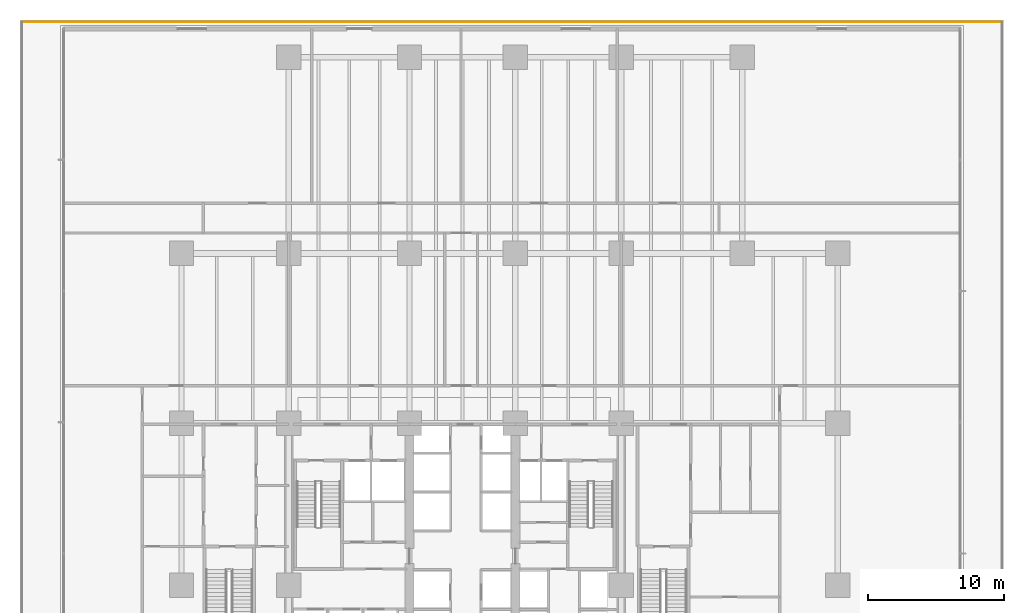
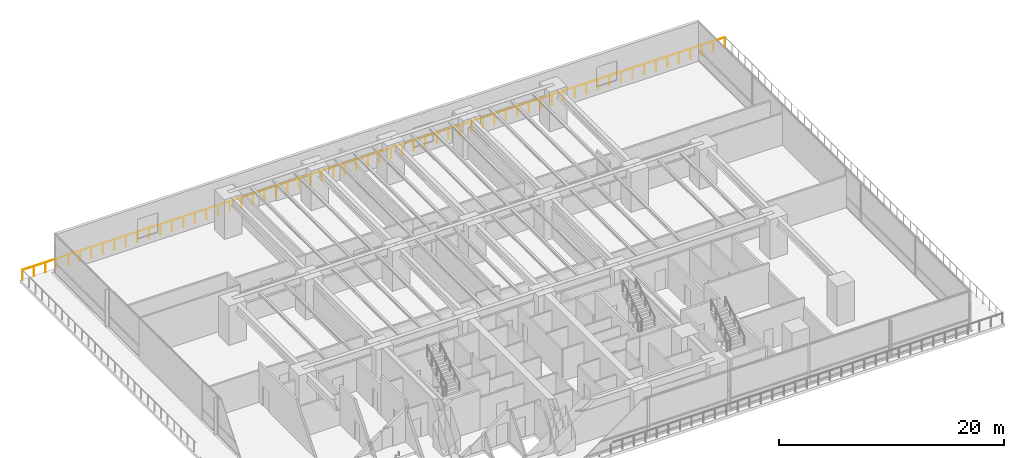
# One storey, part 22 of 24: 1 railing.
"""IFC4 building model written with IfcOpenShell, lengths in metres."""

import ifcopenshell
import ifcopenshell.guid

model = None  # the IFC model being written
_history = None  # IfcOwnerHistory: only IFC2X3 demands one
_inside = {}  # id of a spatial element -> (the spatial element, [elements in it])
_under = {}  # id of a project, library or spatial element -> (it, [spatial elements below it])
_declared = {}  # id of a project -> (the project, [libraries it declares])
_typed = {}  # id of a type object -> (the type object, [elements of that type])
_made_of = {}  # id of a material, layer set ... -> (it, [elements and type objects made of it])


def new_model(schema):
    """Start an empty IFC model of exactly this schema.

    Asked for "IFC4X3", IfcOpenShell would pick the latest addendum, in which some entities
    have other attributes; the version numbers below select the first issue.
    IFC2X3 requires an IfcOwnerHistory on every rooted entity: one is made here for all.
    """
    global model, _history
    if schema == "IFC4X3":
        model = ifcopenshell.file(schema_version=(4, 3, 0, 0))
    else:
        model = ifcopenshell.file(schema=schema)
    _inside.clear()
    _under.clear()
    _declared.clear()
    _typed.clear()
    _made_of.clear()
    _history = None
    if model.schema == "IFC2X3":
        org = make("IfcOrganization", Name="unknown")
        user = make(
            "IfcPersonAndOrganization",
            ThePerson=make("IfcPerson", FamilyName="unknown"),
            TheOrganization=org,
        )
        app = make(
            "IfcApplication",
            ApplicationDeveloper=org,
            Version="unknown",
            ApplicationFullName="unknown",
            ApplicationIdentifier="unknown",
        )
        _history = make(
            "IfcOwnerHistory",
            OwningUser=user,
            OwningApplication=app,
            ChangeAction="ADDED",
            CreationDate=0,
        )
    return model


def make(cls, **values):
    """One entity of the class cls with the attributes given. An attribute that is None is left unset."""
    return model.create_entity(
        cls, **{name: value for name, value in values.items() if value is not None}
    )


def rooted(cls, **values):
    """An entity with a GlobalId (a new one), such as an element, a storey or a relation."""
    return make(cls, GlobalId=ifcopenshell.guid.new(), OwnerHistory=_history, **values)


def si_unit(unit_type, name, prefix=None):
    """IfcSIUnit, for example si_unit("LENGTHUNIT", "METRE", prefix="MILLI")."""
    return make("IfcSIUnit", UnitType=unit_type, Prefix=prefix, Name=name)


def assignment(units):
    """IfcUnitAssignment: the units of a project."""
    return None if units is None else make("IfcUnitAssignment", Units=units)


def point(xyz):
    """IfcCartesianPoint."""
    return None if xyz is None else make("IfcCartesianPoint", Coordinates=xyz)


def direction(xyz):
    """IfcDirection."""
    return None if xyz is None else make("IfcDirection", DirectionRatios=xyz)


def frame(location, z_axis=None, x_axis=None):
    """IfcAxis2Placement3D, a coordinate frame: its origin and axes. An axis left out is left unset."""
    return make(
        "IfcAxis2Placement3D",
        Location=point(location),
        Axis=direction(z_axis),
        RefDirection=direction(x_axis),
    )


def frame_2d(location, x_axis=None):
    """IfcAxis2Placement2D, a coordinate frame in the plane: its origin and x axis."""
    return make(
        "IfcAxis2Placement2D", Location=point(location), RefDirection=direction(x_axis)
    )


def origin():
    """The frame at (0, 0, 0) with its axes left unset."""
    return frame((0.0, 0.0, 0.0))


def origin_2d():
    """The frame at (0, 0) in the plane with its x axis left unset."""
    return frame_2d((0.0, 0.0))


def place(relative_to, where):
    """IfcLocalPlacement: puts the frame where relative to a parent placement (None: the world)."""
    return make(
        "IfcLocalPlacement", PlacementRelTo=relative_to, RelativePlacement=where
    )


def context(
    kind, dimensions, precision=None, world=None, true_north=None, identifier=None
):
    """IfcGeometricRepresentationContext, for example the 3D "Model" context."""
    return make(
        "IfcGeometricRepresentationContext",
        ContextIdentifier=identifier,
        ContextType=kind,
        CoordinateSpaceDimension=dimensions,
        Precision=precision,
        WorldCoordinateSystem=world,
        TrueNorth=true_north,
    )


def subcontext(parent, identifier, kind, view, scale=None):
    """IfcGeometricRepresentationSubContext, for example "Body" below "Model"."""
    return make(
        "IfcGeometricRepresentationSubContext",
        ContextIdentifier=identifier,
        ContextType=kind,
        ParentContext=parent,
        TargetScale=scale,
        TargetView=view,
    )


def project(units=None, contexts=None):
    """IfcProject with its units and contexts."""
    return rooted(
        "IfcProject",
        Name="project",
        RepresentationContexts=contexts,
        UnitsInContext=assignment(units),
    )


def spatial(cls, under=None, at=None, **own):
    """A site, building, storey or space (cls), placed at a placement, below another one or the project."""
    s = rooted(cls, ObjectPlacement=at, **own)
    if under is not None:
        _under.setdefault(under.id(), (under, []))[1].append(s)
    return s


def profile(cls, at=None, kind="AREA", **sizes):
    """A parametric profile (cls). Its sizes go by their IFC names, for example OverallWidth=200.0."""
    return make(cls, ProfileType=kind, Position=at, **sizes)


def circle(**sizes):
    """IfcCircleProfileDef."""
    return profile("IfcCircleProfileDef", **sizes)


def extrude(swept, where, along, depth):
    """IfcExtrudedAreaSolid: the profile swept, set in the frame where, extruded along a direction by depth."""
    return make(
        "IfcExtrudedAreaSolid",
        SweptArea=swept,
        Position=where,
        ExtrudedDirection=direction(along),
        Depth=depth,
    )


def shape(context_of_items, identifier, shape_type, items):
    """IfcShapeRepresentation: the items that make up one representation, for example the "Body"."""
    return make(
        "IfcShapeRepresentation",
        ContextOfItems=context_of_items,
        RepresentationIdentifier=identifier,
        RepresentationType=shape_type,
        Items=items,
    )


def material(Name=None, Category=None):
    """IfcMaterial."""
    return make("IfcMaterial", Name=Name, Category=Category)


def made_of(thing, what):
    """Note that an element or type object is made of a material, layer set ...; save() writes the relation."""
    if what is not None:
        _made_of.setdefault(what.id(), (what, []))[1].append(thing)
    return thing


def type_object(cls, material=None, **own):
    """A type object (cls), such as IfcWallType, which elements share."""
    return made_of(rooted(cls, **own), material)


def element(
    cls,
    number,
    at=None,
    inside=None,
    cuts=None,
    type_object=None,
    material=None,
    context=None,
    identifier="Body",
    shape_type=None,
    held_by="IfcProductDefinitionShape",
    body=None,
    shapes=None,
    **own,
):
    """One element of the class cls, such as IfcWall. Its Tag is "e" and its number.

    at: its placement. inside: the storey or other place that contains it. cuts: it is an
    opening in that element (IfcRelVoidsElement). A single representation is given by context,
    identifier, shape_type and body (its items); several are given by shapes. held_by: the class
    of the entity that holds the representations. save() writes the other relations.
    """
    e = rooted(cls, Tag="e%d" % number, ObjectPlacement=at, **own)
    if body is not None:
        shapes = [shape(context, identifier, shape_type, body)]
    if shapes is not None:
        e.Representation = make(held_by, Representations=shapes)
    if inside is not None:
        _inside.setdefault(inside.id(), (inside, []))[1].append(e)
    if cuts is not None:
        rooted(
            "IfcRelVoidsElement", RelatingBuildingElement=cuts, RelatedOpeningElement=e
        )
    if type_object is not None:
        _typed.setdefault(type_object.id(), (type_object, []))[1].append(e)
    return made_of(e, material)


def aggregate(whole, parts):
    """IfcRelAggregates: a whole, such as a stair, and the parts it consists of."""
    return rooted("IfcRelAggregates", RelatingObject=whole, RelatedObjects=parts)


def save(model, path):
    """Write the relations noted so far, then the file.

    IfcRelAggregates (storeys below a building ...), IfcRelContainedInSpatialStructure (elements
    in a storey), IfcRelDefinesByType, IfcRelAssociatesMaterial and IfcRelDeclares: one each for
    every whole, place, type object, material and project.
    """
    for whole, parts in _under.values():
        aggregate(whole, parts)
    for where, things in _inside.values():
        rooted(
            "IfcRelContainedInSpatialStructure",
            RelatedElements=things,
            RelatingStructure=where,
        )
    for kind, things in _typed.values():
        rooted("IfcRelDefinesByType", RelatedObjects=things, RelatingType=kind)
    for what, things in _made_of.values():
        rooted("IfcRelAssociatesMaterial", RelatedObjects=things, RelatingMaterial=what)
    for by, libraries in _declared.values():
        rooted("IfcRelDeclares", RelatingContext=by, RelatedDefinitions=libraries)
    model.write(path)


model = new_model("IFC4")

# Units and contexts
model_context = context("Model", 3, precision=1e-05, world=origin(), true_north=direction((0.0, 1.0)))
body_context = subcontext(model_context, "Body", "Model", "MODEL_VIEW")
ifc_project = project(units=[si_unit("LENGTHUNIT", "METRE"), si_unit("AREAUNIT", "SQUARE_METRE"), si_unit("VOLUMEUNIT", "CUBIC_METRE"), si_unit("PLANEANGLEUNIT", "RADIAN"), si_unit("MASSUNIT", "GRAM", prefix="KILO")], contexts=[model_context])

# Site, building, storey
site_placement = place(None, origin())
site = spatial("IfcSite", under=ifc_project, at=site_placement, CompositionType="ELEMENT")
building_placement = place(site_placement, origin())
building = spatial("IfcBuilding", under=site, at=building_placement, Name="Qalmaran Belvedere Hotel", CompositionType="ELEMENT")
storey_placement = place(building_placement, frame((0.0, 0.0, 14.60009765625)))
storey = spatial("IfcBuildingStorey", under=building, at=storey_placement, Name="L03", CompositionType="ELEMENT", Elevation=14.60009765625)

# Railing
ifc_material = material(Name="Anodised Bronze Aluminium", Category="aluminium")
railing_type = type_object("IfcRailingType", Name="GRD-TERR-1150", PredefinedType="BALUSTRADE", material=ifc_material)
railing_placement = place(storey_placement, frame((72.824951171875, 50.06005859375, 0.0)))
element("IfcRailing", 1, at=railing_placement, inside=storey, type_object=railing_type, Name="L03 Guardrail L03-TERR-3", PredefinedType="BALUSTRADE", context=body_context, shape_type="SweptSolid", body=[
    extrude(circle(Radius=0.02392578125, at=origin_2d()), frame((0.0, 0.0, 1.1259765625), z_axis=(-1.0, 0.0, 0.0), x_axis=(0.0, -1.0, 0.0)), (0.0, 0.0, 1.0), 72.14990234375),
    extrude(circle(Radius=0.02099609375, at=origin_2d()), origin(), (0.0, 0.0, 1.0), 1.101806640625),
    extrude(circle(Radius=0.02099609375, at=origin_2d()), frame((-1.182861328125, 0.0, 0.0)), (0.0, 0.0, 1.0), 1.101806640625),
    extrude(circle(Radius=0.02099609375, at=origin_2d()), frame((-2.365478515625, 0.0, 0.0)), (0.0, 0.0, 1.0), 1.101806640625),
    extrude(circle(Radius=0.02099609375, at=origin_2d()), frame((-3.54833984375, 0.0, 0.0)), (0.0, 0.0, 1.0), 1.101806640625),
    extrude(circle(Radius=0.02099609375, at=origin_2d()), frame((-4.731201171875, 0.0, 0.0)), (0.0, 0.0, 1.0), 1.101806640625),
    extrude(circle(Radius=0.02099609375, at=origin_2d()), frame((-5.913818359375, 0.0, 0.0)), (0.0, 0.0, 1.0), 1.101806640625),
    extrude(circle(Radius=0.02099609375, at=origin_2d()), frame((-7.0966796875, 0.0, 0.0)), (0.0, 0.0, 1.0), 1.101806640625),
    extrude(circle(Radius=0.02099609375, at=origin_2d()), frame((-8.279541015625, 0.0, 0.0)), (0.0, 0.0, 1.0), 1.101806640625),
    extrude(circle(Radius=0.02099609375, at=origin_2d()), frame((-9.46240234375, 0.0, 0.0)), (0.0, 0.0, 1.0), 1.101806640625),
    extrude(circle(Radius=0.02099609375, at=origin_2d()), frame((-10.64501953125, 0.0, 0.0)), (0.0, 0.0, 1.0), 1.101806640625),
    extrude(circle(Radius=0.02099609375, at=origin_2d()), frame((-11.827880859375, 0.0, 0.0)), (0.0, 0.0, 1.0), 1.101806640625),
    extrude(circle(Radius=0.02099609375, at=origin_2d()), frame((-13.0107421875, 0.0, 0.0)), (0.0, 0.0, 1.0), 1.101806640625),
    extrude(circle(Radius=0.02099609375, at=origin_2d()), frame((-14.193359375, 0.0, 0.0)), (0.0, 0.0, 1.0), 1.101806640625),
    extrude(circle(Radius=0.02099609375, at=origin_2d()), frame((-15.376220703125, 0.0, 0.0)), (0.0, 0.0, 1.0), 1.101806640625),
    extrude(circle(Radius=0.02099609375, at=origin_2d()), frame((-16.55908203125, 0.0, 0.0)), (0.0, 0.0, 1.0), 1.101806640625),
    extrude(circle(Radius=0.02099609375, at=origin_2d()), frame((-17.74169921875, 0.0, 0.0)), (0.0, 0.0, 1.0), 1.101806640625),
    extrude(circle(Radius=0.02099609375, at=origin_2d()), frame((-18.924560546875, 0.0, 0.0)), (0.0, 0.0, 1.0), 1.101806640625),
    extrude(circle(Radius=0.02099609375, at=origin_2d()), frame((-20.107421875, 0.0, 0.0)), (0.0, 0.0, 1.0), 1.101806640625),
    extrude(circle(Radius=0.02099609375, at=origin_2d()), frame((-21.2900390625, 0.0, 0.0)), (0.0, 0.0, 1.0), 1.101806640625),
    extrude(circle(Radius=0.02099609375, at=origin_2d()), frame((-22.472900390625, 0.0, 0.0)), (0.0, 0.0, 1.0), 1.101806640625),
    extrude(circle(Radius=0.02099609375, at=origin_2d()), frame((-23.65576171875, 0.0, 0.0)), (0.0, 0.0, 1.0), 1.101806640625),
    extrude(circle(Radius=0.02099609375, at=origin_2d()), frame((-24.83837890625, 0.0, 0.0)), (0.0, 0.0, 1.0), 1.101806640625),
    extrude(circle(Radius=0.02099609375, at=origin_2d()), frame((-26.021240234375, 0.0, 0.0)), (0.0, 0.0, 1.0), 1.101806640625),
    extrude(circle(Radius=0.02099609375, at=origin_2d()), frame((-27.2041015625, 0.0, 0.0)), (0.0, 0.0, 1.0), 1.101806640625),
    extrude(circle(Radius=0.02099609375, at=origin_2d()), frame((-28.386962890625, 0.0, 0.0)), (0.0, 0.0, 1.0), 1.101806640625),
    extrude(circle(Radius=0.02099609375, at=origin_2d()), frame((-29.569580078125, 0.0, 0.0)), (0.0, 0.0, 1.0), 1.101806640625),
    extrude(circle(Radius=0.02099609375, at=origin_2d()), frame((-30.75244140625, 0.0, 0.0)), (0.0, 0.0, 1.0), 1.101806640625),
    extrude(circle(Radius=0.02099609375, at=origin_2d()), frame((-31.935302734375, 0.0, 0.0)), (0.0, 0.0, 1.0), 1.101806640625),
    extrude(circle(Radius=0.02099609375, at=origin_2d()), frame((-33.117919921875, 0.0, 0.0)), (0.0, 0.0, 1.0), 1.101806640625),
    extrude(circle(Radius=0.02099609375, at=origin_2d()), frame((-34.30078125, 0.0, 0.0)), (0.0, 0.0, 1.0), 1.101806640625),
    extrude(circle(Radius=0.02099609375, at=origin_2d()), frame((-35.483642578125, 0.0, 0.0)), (0.0, 0.0, 1.0), 1.101806640625),
    extrude(circle(Radius=0.02099609375, at=origin_2d()), frame((-36.666259765625, 0.0, 0.0)), (0.0, 0.0, 1.0), 1.101806640625),
    extrude(circle(Radius=0.02099609375, at=origin_2d()), frame((-37.84912109375, 0.0, 0.0)), (0.0, 0.0, 1.0), 1.101806640625),
    extrude(circle(Radius=0.02099609375, at=origin_2d()), frame((-39.031982421875, 0.0, 0.0)), (0.0, 0.0, 1.0), 1.101806640625),
    extrude(circle(Radius=0.02099609375, at=origin_2d()), frame((-40.214599609375, 0.0, 0.0)), (0.0, 0.0, 1.0), 1.101806640625),
    extrude(circle(Radius=0.02099609375, at=origin_2d()), frame((-41.3974609375, 0.0, 0.0)), (0.0, 0.0, 1.0), 1.101806640625),
    extrude(circle(Radius=0.02099609375, at=origin_2d()), frame((-42.580322265625, 0.0, 0.0)), (0.0, 0.0, 1.0), 1.101806640625),
    extrude(circle(Radius=0.02099609375, at=origin_2d()), frame((-43.762939453125, 0.0, 0.0)), (0.0, 0.0, 1.0), 1.101806640625),
    extrude(circle(Radius=0.02099609375, at=origin_2d()), frame((-44.94580078125, 0.0, 0.0)), (0.0, 0.0, 1.0), 1.101806640625),
    extrude(circle(Radius=0.02099609375, at=origin_2d()), frame((-46.128662109375, 0.0, 0.0)), (0.0, 0.0, 1.0), 1.101806640625),
    extrude(circle(Radius=0.02099609375, at=origin_2d()), frame((-47.3115234375, 0.0, 0.0)), (0.0, 0.0, 1.0), 1.101806640625),
    extrude(circle(Radius=0.02099609375, at=origin_2d()), frame((-48.494140625, 0.0, 0.0)), (0.0, 0.0, 1.0), 1.101806640625),
    extrude(circle(Radius=0.02099609375, at=origin_2d()), frame((-49.677001953125, 0.0, 0.0)), (0.0, 0.0, 1.0), 1.101806640625),
    extrude(circle(Radius=0.02099609375, at=origin_2d()), frame((-50.85986328125, 0.0, 0.0)), (0.0, 0.0, 1.0), 1.101806640625),
    extrude(circle(Radius=0.02099609375, at=origin_2d()), frame((-52.04248046875, 0.0, 0.0)), (0.0, 0.0, 1.0), 1.101806640625),
    extrude(circle(Radius=0.02099609375, at=origin_2d()), frame((-53.225341796875, 0.0, 0.0)), (0.0, 0.0, 1.0), 1.101806640625),
    extrude(circle(Radius=0.02099609375, at=origin_2d()), frame((-54.408203125, 0.0, 0.0)), (0.0, 0.0, 1.0), 1.101806640625),
    extrude(circle(Radius=0.02099609375, at=origin_2d()), frame((-55.5908203125, 0.0, 0.0)), (0.0, 0.0, 1.0), 1.101806640625),
    extrude(circle(Radius=0.02099609375, at=origin_2d()), frame((-56.773681640625, 0.0, 0.0)), (0.0, 0.0, 1.0), 1.101806640625),
    extrude(circle(Radius=0.02099609375, at=origin_2d()), frame((-57.95654296875, 0.0, 0.0)), (0.0, 0.0, 1.0), 1.101806640625),
    extrude(circle(Radius=0.02099609375, at=origin_2d()), frame((-59.13916015625, 0.0, 0.0)), (0.0, 0.0, 1.0), 1.101806640625),
    extrude(circle(Radius=0.02099609375, at=origin_2d()), frame((-60.322021484375, 0.0, 0.0)), (0.0, 0.0, 1.0), 1.101806640625),
    extrude(circle(Radius=0.02099609375, at=origin_2d()), frame((-61.5048828125, 0.0, 0.0)), (0.0, 0.0, 1.0), 1.101806640625),
    extrude(circle(Radius=0.02099609375, at=origin_2d()), frame((-62.6875, 0.0, 0.0)), (0.0, 0.0, 1.0), 1.101806640625),
    extrude(circle(Radius=0.02099609375, at=origin_2d()), frame((-63.870361328125, 0.0, 0.0)), (0.0, 0.0, 1.0), 1.101806640625),
    extrude(circle(Radius=0.02099609375, at=origin_2d()), frame((-65.05322265625, 0.0, 0.0)), (0.0, 0.0, 1.0), 1.101806640625),
    extrude(circle(Radius=0.02099609375, at=origin_2d()), frame((-66.236083984375, 0.0, 0.0)), (0.0, 0.0, 1.0), 1.101806640625),
    extrude(circle(Radius=0.02099609375, at=origin_2d()), frame((-67.418701171875, 0.0, 0.0)), (0.0, 0.0, 1.0), 1.101806640625),
    extrude(circle(Radius=0.02099609375, at=origin_2d()), frame((-68.6015625, 0.0, 0.0)), (0.0, 0.0, 1.0), 1.101806640625),
    extrude(circle(Radius=0.02099609375, at=origin_2d()), frame((-69.784423828125, 0.0, 0.0)), (0.0, 0.0, 1.0), 1.101806640625),
    extrude(circle(Radius=0.02099609375, at=origin_2d()), frame((-70.967041015625, 0.0, 0.0)), (0.0, 0.0, 1.0), 1.101806640625),
    extrude(circle(Radius=0.02099609375, at=origin_2d()), frame((-72.14990234375, 0.0, 0.0)), (0.0, 0.0, 1.0), 1.101806640625),
])

save(model, "model.ifc")
